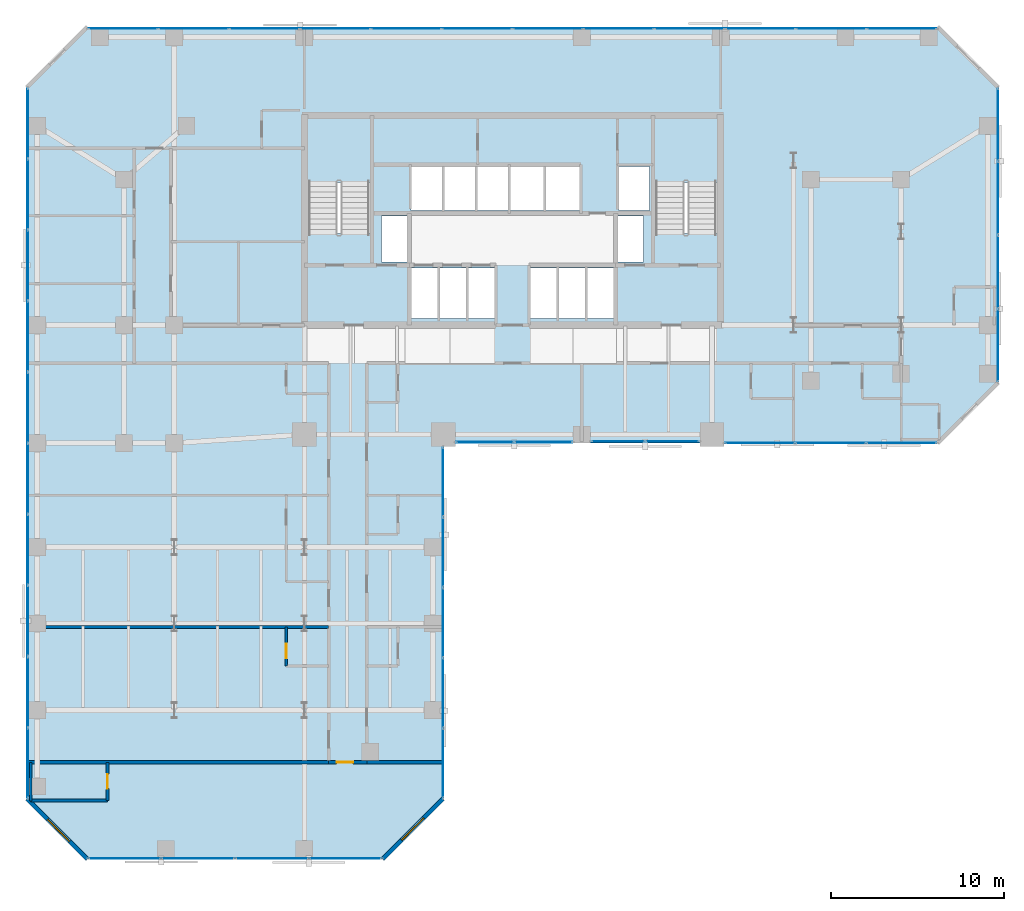
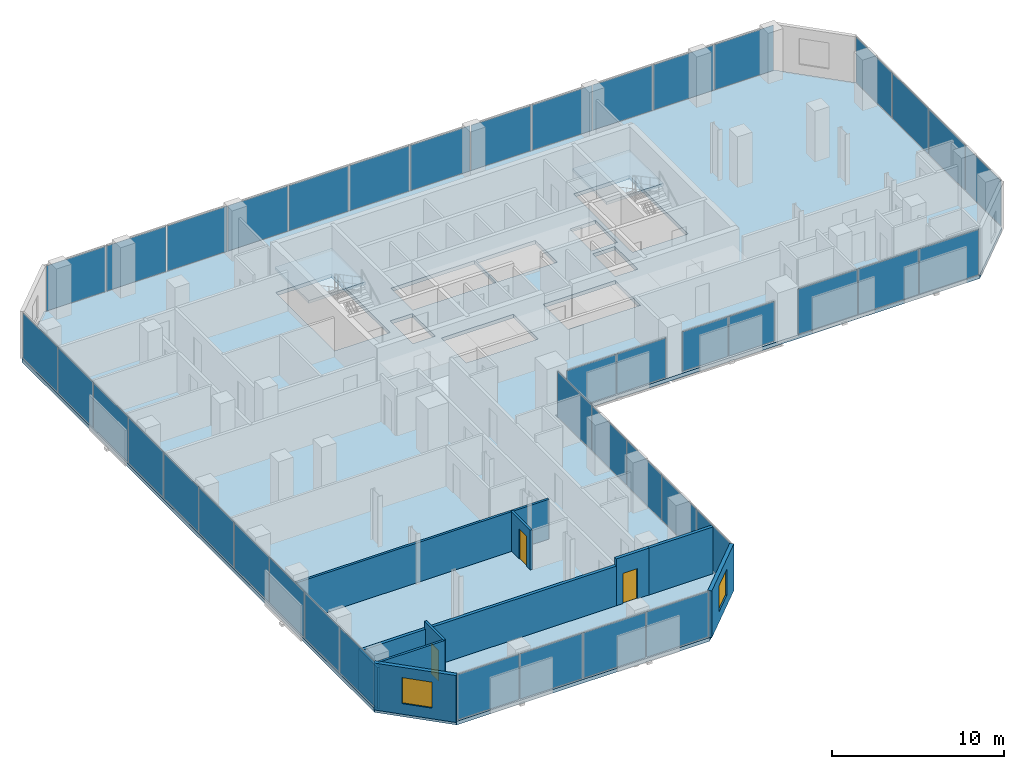
# One storey, part 26 of 31: 42 plates, 10 walls, 3 doors, 3 slabs, 2 windows, 5 openings, 10 elements without a shape of their own.
"""IFC4 building model written with IfcOpenShell, lengths in metres."""

from ifc_helpers import new_model, si_unit, direction, frame, frame_2d, origin, origin_2d, place, context, subcontext, project, spatial, polyline, rectangle, outline, extrude, material, layer, layer_set, type_object, element, fill, aggregate, save


model = new_model("IFC4")

# Units and contexts
model_context = context("Model", 3, precision=1e-05, world=origin(), true_north=direction((0.0, 1.0)))
body_context = subcontext(model_context, "Body", "Model", "MODEL_VIEW")
ifc_project = project(units=[si_unit("LENGTHUNIT", "METRE"), si_unit("AREAUNIT", "SQUARE_METRE"), si_unit("VOLUMEUNIT", "CUBIC_METRE"), si_unit("PLANEANGLEUNIT", "RADIAN"), si_unit("MASSUNIT", "GRAM", prefix="KILO")], contexts=[model_context])

# Site, building, storey
site_placement = place(None, origin())
site = spatial("IfcSite", under=ifc_project, at=site_placement, CompositionType="ELEMENT")
building_placement = place(site_placement, origin())
building = spatial("IfcBuilding", under=site, at=building_placement, Name="Catumbela Crestline Tower", CompositionType="ELEMENT")
storey_placement = place(building_placement, frame((0.0, 0.0, 36.6)))
storey = spatial("IfcBuildingStorey", under=building, at=storey_placement, Name="L08", CompositionType="ELEMENT", Elevation=36.6)

# Curtain wall, plates
ifc_material_1 = material(Name="Aluminium alloy AW-6060-T66", Category="aluminium")
ifc_layer_1 = layer(ifc_material_1, 0.18, Name="Aluminium alloy AW-6060-T66")
ifc_layer_set_1 = layer_set([ifc_layer_1], Name="Aluminium alloy AW-6060-T66")
curtain_wall_type = type_object("IfcCurtainWallType", Name="CWU-Z1", PredefinedType="USERDEFINED", material=ifc_layer_set_1)
curtain_wall_1_placement = place(storey_placement, origin())
curtain_wall_1 = element("IfcCurtainWall", 1, at=curtain_wall_1_placement, inside=storey, type_object=curtain_wall_type, Name="L08 Unitised Curtain Wall CW-L08-E0S1", ObjectType="UNITISED", PredefinedType="USERDEFINED")
ifc_material_2 = material(Name="Low-E laminated solar-control double glazing", Category="glass")
ifc_layer_2 = layer(ifc_material_2, 0.034, Name="Low-E laminated solar-control double glazing")
ifc_layer_set_2 = layer_set([ifc_layer_2], Name="Low-E laminated solar-control double glazing")
plate_type = type_object("IfcPlateType", Name="PNL-GLZ-Z1", PredefinedType="CURTAIN_PANEL", material=ifc_layer_set_2)
plate_1_placement = place(storey_placement, frame((5.6412, 0.05, 0.06), z_axis=(0.0, 0.0, 1.0), x_axis=(1.0, 0.0, 0.0)))
plate_1 = element("IfcPlate", 2, at=plate_1_placement, type_object=plate_type, Name="CWU-Z1 panel 1.1", PredefinedType="CURTAIN_PANEL", context=body_context, shape_type="SweptSolid", body=[
    extrude(rectangle(XDim=4.1525, YDim=0.034, at=origin_2d()), origin(), (0.0, 0.0, 1.0), 3.21),
])
plate_2_placement = place(storey_placement, frame((9.875, 0.05, 0.06), z_axis=(0.0, 0.0, 1.0), x_axis=(1.0, 0.0, 0.0)))
plate_2 = element("IfcPlate", 3, at=plate_2_placement, type_object=plate_type, Name="CWU-Z1 panel 2.1", PredefinedType="CURTAIN_PANEL", context=body_context, shape_type="SweptSolid", body=[
    extrude(rectangle(XDim=4.185, YDim=0.034, at=origin_2d()), origin(), (0.0, 0.0, 1.0), 3.21),
])
plate_3_placement = place(storey_placement, frame((14.125, 0.05, 0.06), z_axis=(0.0, 0.0, 1.0), x_axis=(1.0, 0.0, 0.0)))
plate_3 = element("IfcPlate", 4, at=plate_3_placement, type_object=plate_type, Name="CWU-Z1 panel 3.1", PredefinedType="CURTAIN_PANEL", context=body_context, shape_type="SweptSolid", body=[
    extrude(rectangle(XDim=4.185, YDim=0.034, at=origin_2d()), origin(), (0.0, 0.0, 1.0), 3.21),
])
plate_4_placement = place(storey_placement, frame((18.3588, 0.05, 0.06), z_axis=(0.0, 0.0, 1.0), x_axis=(1.0, 0.0, 0.0)))
plate_4 = element("IfcPlate", 5, at=plate_4_placement, type_object=plate_type, Name="CWU-Z1 panel 4.1", PredefinedType="CURTAIN_PANEL", context=body_context, shape_type="SweptSolid", body=[
    extrude(rectangle(XDim=4.1525, YDim=0.034, at=origin_2d()), origin(), (0.0, 0.0, 1.0), 3.21),
])
aggregate(curtain_wall_1, [plate_1, plate_2, plate_3, plate_4])

curtain_wall_2_placement = place(storey_placement, origin())
curtain_wall_2 = element("IfcCurtainWall", 6, at=curtain_wall_2_placement, inside=storey, type_object=curtain_wall_type, Name="L08 Unitised Curtain Wall CW-L08-E2S1", ObjectType="UNITISED", PredefinedType="USERDEFINED")
plate_5_placement = place(storey_placement, frame((24.0, 5.5462, 0.06), z_axis=(0.0, 0.0, 1.0), x_axis=(0.0, 1.0, 0.0)))
plate_5 = element("IfcPlate", 7, at=plate_5_placement, type_object=plate_type, Name="CWU-Z1 panel 1.1", PredefinedType="CURTAIN_PANEL", context=body_context, shape_type="SweptSolid", body=[
    extrude(rectangle(XDim=3.9625, YDim=0.034, at=origin_2d()), origin(), (0.0, 0.0, 1.0), 3.21),
])
plate_6_placement = place(storey_placement, frame((24.0, 9.59, 0.06), z_axis=(0.0, 0.0, 1.0), x_axis=(0.0, 1.0, 0.0)))
plate_6 = element("IfcPlate", 8, at=plate_6_placement, type_object=plate_type, Name="CWU-Z1 panel 2.1", PredefinedType="CURTAIN_PANEL", context=body_context, shape_type="SweptSolid", body=[
    extrude(rectangle(XDim=3.995, YDim=0.034, at=origin_2d()), origin(), (0.0, 0.0, 1.0), 3.21),
])
plate_7_placement = place(storey_placement, frame((24.0, 13.65, 0.06), z_axis=(0.0, 0.0, 1.0), x_axis=(0.0, 1.0, 0.0)))
plate_7 = element("IfcPlate", 9, at=plate_7_placement, type_object=plate_type, Name="CWU-Z1 panel 3.1", PredefinedType="CURTAIN_PANEL", context=body_context, shape_type="SweptSolid", body=[
    extrude(rectangle(XDim=3.995, YDim=0.034, at=origin_2d()), origin(), (0.0, 0.0, 1.0), 3.21),
])
plate_8_placement = place(storey_placement, frame((24.0, 17.71, 0.06), z_axis=(0.0, 0.0, 1.0), x_axis=(0.0, 1.0, 0.0)))
plate_8 = element("IfcPlate", 10, at=plate_8_placement, type_object=plate_type, Name="CWU-Z1 panel 4.1", PredefinedType="CURTAIN_PANEL", context=body_context, shape_type="SweptSolid", body=[
    extrude(rectangle(XDim=3.995, YDim=0.034, at=origin_2d()), origin(), (0.0, 0.0, 1.0), 3.21),
])
plate_9_placement = place(storey_placement, frame((24.0, 21.7538, 0.06), z_axis=(0.0, 0.0, 1.0), x_axis=(0.0, 1.0, 0.0)))
plate_9 = element("IfcPlate", 11, at=plate_9_placement, type_object=plate_type, Name="CWU-Z1 panel 5.1", PredefinedType="CURTAIN_PANEL", context=body_context, shape_type="SweptSolid", body=[
    extrude(rectangle(XDim=3.9625, YDim=0.034, at=origin_2d()), origin(), (0.0, 0.0, 1.0), 3.21),
])
aggregate(curtain_wall_2, [plate_5, plate_6, plate_7, plate_8, plate_9])

curtain_wall_3_placement = place(storey_placement, origin())
curtain_wall_3 = element("IfcCurtainWall", 12, at=curtain_wall_3_placement, inside=storey, type_object=curtain_wall_type, Name="L08 Unitised Curtain Wall CW-L08-E3S1", ObjectType="UNITISED", PredefinedType="USERDEFINED")
plate_10_placement = place(storey_placement, frame((26.4162, 24.05, 0.06), z_axis=(0.0, 0.0, 1.0), x_axis=(1.0, 0.0, 0.0)))
plate_10 = element("IfcPlate", 13, at=plate_10_placement, type_object=plate_type, Name="CWU-Z1 panel 1.1", PredefinedType="CURTAIN_PANEL", context=body_context, shape_type="SweptSolid", body=[
    extrude(rectangle(XDim=3.3025, YDim=0.034, at=origin_2d()), origin(), (0.0, 0.0, 1.0), 2.81),
])
plate_11_placement = place(storey_placement, frame((29.7838, 24.05, 0.06), z_axis=(0.0, 0.0, 1.0), x_axis=(1.0, 0.0, 0.0)))
plate_11 = element("IfcPlate", 14, at=plate_11_placement, type_object=plate_type, Name="CWU-Z1 panel 2.1", PredefinedType="CURTAIN_PANEL", context=body_context, shape_type="SweptSolid", body=[
    extrude(rectangle(XDim=3.3025, YDim=0.034, at=origin_2d()), origin(), (0.0, 0.0, 1.0), 2.81),
])
aggregate(curtain_wall_3, [plate_10, plate_11])

curtain_wall_4_placement = place(storey_placement, origin())
curtain_wall_4 = element("IfcCurtainWall", 15, at=curtain_wall_4_placement, inside=storey, type_object=curtain_wall_type, Name="L08 Unitised Curtain Wall CW-L08-E3S2", ObjectType="UNITISED", PredefinedType="USERDEFINED")
plate_12_placement = place(storey_placement, frame((34.0912, 24.1, 0.06), z_axis=(0.0, 0.0, 1.0), x_axis=(1.0, 0.0, 0.0)))
plate_12 = element("IfcPlate", 16, at=plate_12_placement, type_object=plate_type, Name="CWU-Z1 panel 1.1", PredefinedType="CURTAIN_PANEL", context=body_context, shape_type="SweptSolid", body=[
    extrude(rectangle(XDim=3.0525, YDim=0.034, at=origin_2d()), origin(), (0.0, 0.0, 1.0), 2.81),
])
plate_13_placement = place(storey_placement, frame((37.2088, 24.1, 0.06), z_axis=(0.0, 0.0, 1.0), x_axis=(1.0, 0.0, 0.0)))
plate_13 = element("IfcPlate", 17, at=plate_13_placement, type_object=plate_type, Name="CWU-Z1 panel 2.1", PredefinedType="CURTAIN_PANEL", context=body_context, shape_type="SweptSolid", body=[
    extrude(rectangle(XDim=3.0525, YDim=0.034, at=origin_2d()), origin(), (0.0, 0.0, 1.0), 2.81),
])
aggregate(curtain_wall_4, [plate_12, plate_13])

curtain_wall_5_placement = place(storey_placement, origin())
curtain_wall_5 = element("IfcCurtainWall", 18, at=curtain_wall_5_placement, inside=storey, type_object=curtain_wall_type, Name="L08 Unitised Curtain Wall CW-L08-E3S3", ObjectType="UNITISED", PredefinedType="USERDEFINED")
plate_14_placement = place(storey_placement, frame((42.2662, 24.0, 0.06), z_axis=(0.0, 0.0, 1.0), x_axis=(1.0, 0.0, 0.0)))
plate_14 = element("IfcPlate", 19, at=plate_14_placement, type_object=plate_type, Name="CWU-Z1 panel 1.1", PredefinedType="CURTAIN_PANEL", context=body_context, shape_type="SweptSolid", body=[
    extrude(rectangle(XDim=4.0025, YDim=0.034, at=origin_2d()), origin(), (0.0, 0.0, 1.0), 3.21),
])
plate_15_placement = place(storey_placement, frame((46.35, 24.0, 0.06), z_axis=(0.0, 0.0, 1.0), x_axis=(1.0, 0.0, 0.0)))
plate_15 = element("IfcPlate", 20, at=plate_15_placement, type_object=plate_type, Name="CWU-Z1 panel 2.1", PredefinedType="CURTAIN_PANEL", context=body_context, shape_type="SweptSolid", body=[
    extrude(rectangle(XDim=4.035, YDim=0.034, at=origin_2d()), origin(), (0.0, 0.0, 1.0), 3.21),
])
plate_16_placement = place(storey_placement, frame((50.4338, 24.0, 0.06), z_axis=(0.0, 0.0, 1.0), x_axis=(1.0, 0.0, 0.0)))
plate_16 = element("IfcPlate", 21, at=plate_16_placement, type_object=plate_type, Name="CWU-Z1 panel 3.1", PredefinedType="CURTAIN_PANEL", context=body_context, shape_type="SweptSolid", body=[
    extrude(rectangle(XDim=4.0025, YDim=0.034, at=origin_2d()), origin(), (0.0, 0.0, 1.0), 3.21),
])
aggregate(curtain_wall_5, [plate_14, plate_15, plate_16])

curtain_wall_6_placement = place(storey_placement, origin())
curtain_wall_6 = element("IfcCurtainWall", 22, at=curtain_wall_6_placement, inside=storey, type_object=curtain_wall_type, Name="L08 Unitised Curtain Wall CW-L08-E5S1", ObjectType="UNITISED", PredefinedType="USERDEFINED")
plate_17_placement = place(storey_placement, frame((56.0, 29.6412, 0.06), z_axis=(0.0, 0.0, 1.0), x_axis=(0.0, 1.0, 0.0)))
plate_17 = element("IfcPlate", 23, at=plate_17_placement, type_object=plate_type, Name="CWU-Z1 panel 1.1", PredefinedType="CURTAIN_PANEL", context=body_context, shape_type="SweptSolid", body=[
    extrude(rectangle(XDim=4.1525, YDim=0.034, at=origin_2d()), origin(), (0.0, 0.0, 1.0), 3.21),
])
plate_18_placement = place(storey_placement, frame((56.0, 33.875, 0.06), z_axis=(0.0, 0.0, 1.0), x_axis=(0.0, 1.0, 0.0)))
plate_18 = element("IfcPlate", 24, at=plate_18_placement, type_object=plate_type, Name="CWU-Z1 panel 2.1", PredefinedType="CURTAIN_PANEL", context=body_context, shape_type="SweptSolid", body=[
    extrude(rectangle(XDim=4.185, YDim=0.034, at=origin_2d()), origin(), (0.0, 0.0, 1.0), 3.21),
])
plate_19_placement = place(storey_placement, frame((56.0, 38.125, 0.06), z_axis=(0.0, 0.0, 1.0), x_axis=(0.0, 1.0, 0.0)))
plate_19 = element("IfcPlate", 25, at=plate_19_placement, type_object=plate_type, Name="CWU-Z1 panel 3.1", PredefinedType="CURTAIN_PANEL", context=body_context, shape_type="SweptSolid", body=[
    extrude(rectangle(XDim=4.185, YDim=0.034, at=origin_2d()), origin(), (0.0, 0.0, 1.0), 3.21),
])
plate_20_placement = place(storey_placement, frame((56.0, 42.3588, 0.06), z_axis=(0.0, 0.0, 1.0), x_axis=(0.0, 1.0, 0.0)))
plate_20 = element("IfcPlate", 26, at=plate_20_placement, type_object=plate_type, Name="CWU-Z1 panel 4.1", PredefinedType="CURTAIN_PANEL", context=body_context, shape_type="SweptSolid", body=[
    extrude(rectangle(XDim=4.1525, YDim=0.034, at=origin_2d()), origin(), (0.0, 0.0, 1.0), 3.21),
])
aggregate(curtain_wall_6, [plate_17, plate_18, plate_19, plate_20])

curtain_wall_7_placement = place(storey_placement, origin())
curtain_wall_7 = element("IfcCurtainWall", 27, at=curtain_wall_7_placement, inside=storey, type_object=curtain_wall_type, Name="L08 Unitised Curtain Wall CW-L08-E7S1", ObjectType="UNITISED", PredefinedType="USERDEFINED")
plate_21_placement = place(storey_placement, frame((50.4421, 47.9, 0.06), z_axis=(0.0, 0.0, 1.0), x_axis=(-1.0, 0.0, 0.0)))
plate_21 = element("IfcPlate", 28, at=plate_21_placement, type_object=plate_type, Name="CWU-Z1 panel 1.1", PredefinedType="CURTAIN_PANEL", context=body_context, shape_type="SweptSolid", body=[
    extrude(rectangle(XDim=3.9858, YDim=0.034, at=origin_2d()), origin(), (0.0, 0.0, 1.0), 3.21),
])
plate_22_placement = place(storey_placement, frame((46.375, 47.9, 0.06), z_axis=(0.0, 0.0, 1.0), x_axis=(-1.0, 0.0, 0.0)))
plate_22 = element("IfcPlate", 29, at=plate_22_placement, type_object=plate_type, Name="CWU-Z1 panel 2.1", PredefinedType="CURTAIN_PANEL", context=body_context, shape_type="SweptSolid", body=[
    extrude(rectangle(XDim=4.0183, YDim=0.034, at=origin_2d()), origin(), (0.0, 0.0, 1.0), 3.21),
])
plate_23_placement = place(storey_placement, frame((42.2917, 47.9, 0.06), z_axis=(0.0, 0.0, 1.0), x_axis=(-1.0, 0.0, 0.0)))
plate_23 = element("IfcPlate", 30, at=plate_23_placement, type_object=plate_type, Name="CWU-Z1 panel 3.1", PredefinedType="CURTAIN_PANEL", context=body_context, shape_type="SweptSolid", body=[
    extrude(rectangle(XDim=4.0183, YDim=0.034, at=origin_2d()), origin(), (0.0, 0.0, 1.0), 3.21),
])
plate_24_placement = place(storey_placement, frame((38.2083, 47.9, 0.06), z_axis=(0.0, 0.0, 1.0), x_axis=(-1.0, 0.0, 0.0)))
plate_24 = element("IfcPlate", 31, at=plate_24_placement, type_object=plate_type, Name="CWU-Z1 panel 4.1", PredefinedType="CURTAIN_PANEL", context=body_context, shape_type="SweptSolid", body=[
    extrude(rectangle(XDim=4.0183, YDim=0.034, at=origin_2d()), origin(), (0.0, 0.0, 1.0), 3.21),
])
plate_25_placement = place(storey_placement, frame((34.125, 47.9, 0.06), z_axis=(0.0, 0.0, 1.0), x_axis=(-1.0, 0.0, 0.0)))
plate_25 = element("IfcPlate", 32, at=plate_25_placement, type_object=plate_type, Name="CWU-Z1 panel 5.1", PredefinedType="CURTAIN_PANEL", context=body_context, shape_type="SweptSolid", body=[
    extrude(rectangle(XDim=4.0183, YDim=0.034, at=origin_2d()), origin(), (0.0, 0.0, 1.0), 3.21),
])
plate_26_placement = place(storey_placement, frame((30.0417, 47.9, 0.06), z_axis=(0.0, 0.0, 1.0), x_axis=(-1.0, 0.0, 0.0)))
plate_26 = element("IfcPlate", 33, at=plate_26_placement, type_object=plate_type, Name="CWU-Z1 panel 6.1", PredefinedType="CURTAIN_PANEL", context=body_context, shape_type="SweptSolid", body=[
    extrude(rectangle(XDim=4.0183, YDim=0.034, at=origin_2d()), origin(), (0.0, 0.0, 1.0), 3.21),
])
plate_27_placement = place(storey_placement, frame((25.9583, 47.9, 0.06), z_axis=(0.0, 0.0, 1.0), x_axis=(-1.0, 0.0, 0.0)))
plate_27 = element("IfcPlate", 34, at=plate_27_placement, type_object=plate_type, Name="CWU-Z1 panel 7.1", PredefinedType="CURTAIN_PANEL", context=body_context, shape_type="SweptSolid", body=[
    extrude(rectangle(XDim=4.0183, YDim=0.034, at=origin_2d()), origin(), (0.0, 0.0, 1.0), 3.21),
])
plate_28_placement = place(storey_placement, frame((21.875, 47.9, 0.06), z_axis=(0.0, 0.0, 1.0), x_axis=(-1.0, 0.0, 0.0)))
plate_28 = element("IfcPlate", 35, at=plate_28_placement, type_object=plate_type, Name="CWU-Z1 panel 8.1", PredefinedType="CURTAIN_PANEL", context=body_context, shape_type="SweptSolid", body=[
    extrude(rectangle(XDim=4.0183, YDim=0.034, at=origin_2d()), origin(), (0.0, 0.0, 1.0), 3.21),
])
plate_29_placement = place(storey_placement, frame((17.7917, 47.9, 0.06), z_axis=(0.0, 0.0, 1.0), x_axis=(-1.0, 0.0, 0.0)))
plate_29 = element("IfcPlate", 36, at=plate_29_placement, type_object=plate_type, Name="CWU-Z1 panel 9.1", PredefinedType="CURTAIN_PANEL", context=body_context, shape_type="SweptSolid", body=[
    extrude(rectangle(XDim=4.0183, YDim=0.034, at=origin_2d()), origin(), (0.0, 0.0, 1.0), 3.21),
])
plate_30_placement = place(storey_placement, frame((13.7083, 47.9, 0.06), z_axis=(0.0, 0.0, 1.0), x_axis=(-1.0, 0.0, 0.0)))
plate_30 = element("IfcPlate", 37, at=plate_30_placement, type_object=plate_type, Name="CWU-Z1 panel 10.1", PredefinedType="CURTAIN_PANEL", context=body_context, shape_type="SweptSolid", body=[
    extrude(rectangle(XDim=4.0183, YDim=0.034, at=origin_2d()), origin(), (0.0, 0.0, 1.0), 3.21),
])
plate_31_placement = place(storey_placement, frame((9.625, 47.9, 0.06), z_axis=(0.0, 0.0, 1.0), x_axis=(-1.0, 0.0, 0.0)))
plate_31 = element("IfcPlate", 38, at=plate_31_placement, type_object=plate_type, Name="CWU-Z1 panel 11.1", PredefinedType="CURTAIN_PANEL", context=body_context, shape_type="SweptSolid", body=[
    extrude(rectangle(XDim=4.0183, YDim=0.034, at=origin_2d()), origin(), (0.0, 0.0, 1.0), 3.21),
])
plate_32_placement = place(storey_placement, frame((5.5579, 47.9, 0.06), z_axis=(0.0, 0.0, 1.0), x_axis=(-1.0, 0.0, 0.0)))
plate_32 = element("IfcPlate", 39, at=plate_32_placement, type_object=plate_type, Name="CWU-Z1 panel 12.1", PredefinedType="CURTAIN_PANEL", context=body_context, shape_type="SweptSolid", body=[
    extrude(rectangle(XDim=3.9858, YDim=0.034, at=origin_2d()), origin(), (0.0, 0.0, 1.0), 3.21),
])
aggregate(curtain_wall_7, [plate_21, plate_22, plate_23, plate_24, plate_25, plate_26, plate_27, plate_28, plate_29, plate_30, plate_31, plate_32])

curtain_wall_8_placement = place(storey_placement, origin())
curtain_wall_8 = element("IfcCurtainWall", 40, at=curtain_wall_8_placement, inside=storey, type_object=curtain_wall_type, Name="L08 Unitised Curtain Wall CW-L08-E9S1", ObjectType="UNITISED", PredefinedType="USERDEFINED")
plate_33_placement = place(storey_placement, frame((0.05, 42.4338, 0.06), z_axis=(0.0, 0.0, 1.0), x_axis=(0.0, -1.0, 0.0)))
plate_33 = element("IfcPlate", 41, at=plate_33_placement, type_object=plate_type, Name="CWU-Z1 panel 1.1", PredefinedType="CURTAIN_PANEL", context=body_context, shape_type="SweptSolid", body=[
    extrude(rectangle(XDim=4.0025, YDim=0.034, at=origin_2d()), origin(), (0.0, 0.0, 1.0), 3.21),
])
plate_34_placement = place(storey_placement, frame((0.05, 38.35, 0.06), z_axis=(0.0, 0.0, 1.0), x_axis=(0.0, -1.0, 0.0)))
plate_34 = element("IfcPlate", 42, at=plate_34_placement, type_object=plate_type, Name="CWU-Z1 panel 2.1", PredefinedType="CURTAIN_PANEL", context=body_context, shape_type="SweptSolid", body=[
    extrude(rectangle(XDim=4.035, YDim=0.034, at=origin_2d()), origin(), (0.0, 0.0, 1.0), 3.21),
])
plate_35_placement = place(storey_placement, frame((0.05, 34.25, 0.06), z_axis=(0.0, 0.0, 1.0), x_axis=(0.0, -1.0, 0.0)))
plate_35 = element("IfcPlate", 43, at=plate_35_placement, type_object=plate_type, Name="CWU-Z1 panel 3.1", PredefinedType="CURTAIN_PANEL", context=body_context, shape_type="SweptSolid", body=[
    extrude(rectangle(XDim=4.035, YDim=0.034, at=origin_2d()), origin(), (0.0, 0.0, 1.0), 3.21),
])
plate_36_placement = place(storey_placement, frame((0.05, 30.15, 0.06), z_axis=(0.0, 0.0, 1.0), x_axis=(0.0, -1.0, 0.0)))
plate_36 = element("IfcPlate", 44, at=plate_36_placement, type_object=plate_type, Name="CWU-Z1 panel 4.1", PredefinedType="CURTAIN_PANEL", context=body_context, shape_type="SweptSolid", body=[
    extrude(rectangle(XDim=4.035, YDim=0.034, at=origin_2d()), origin(), (0.0, 0.0, 1.0), 3.21),
])
plate_37_placement = place(storey_placement, frame((0.05, 26.05, 0.06), z_axis=(0.0, 0.0, 1.0), x_axis=(0.0, -1.0, 0.0)))
plate_37 = element("IfcPlate", 45, at=plate_37_placement, type_object=plate_type, Name="CWU-Z1 panel 5.1", PredefinedType="CURTAIN_PANEL", context=body_context, shape_type="SweptSolid", body=[
    extrude(rectangle(XDim=4.035, YDim=0.034, at=origin_2d()), origin(), (0.0, 0.0, 1.0), 3.21),
])
plate_38_placement = place(storey_placement, frame((0.05, 21.95, 0.06), z_axis=(0.0, 0.0, 1.0), x_axis=(0.0, -1.0, 0.0)))
plate_38 = element("IfcPlate", 46, at=plate_38_placement, type_object=plate_type, Name="CWU-Z1 panel 6.1", PredefinedType="CURTAIN_PANEL", context=body_context, shape_type="SweptSolid", body=[
    extrude(rectangle(XDim=4.035, YDim=0.034, at=origin_2d()), origin(), (0.0, 0.0, 1.0), 3.21),
])
plate_39_placement = place(storey_placement, frame((0.05, 17.85, 0.06), z_axis=(0.0, 0.0, 1.0), x_axis=(0.0, -1.0, 0.0)))
plate_39 = element("IfcPlate", 47, at=plate_39_placement, type_object=plate_type, Name="CWU-Z1 panel 7.1", PredefinedType="CURTAIN_PANEL", context=body_context, shape_type="SweptSolid", body=[
    extrude(rectangle(XDim=4.035, YDim=0.034, at=origin_2d()), origin(), (0.0, 0.0, 1.0), 3.21),
])
plate_40_placement = place(storey_placement, frame((0.05, 13.75, 0.06), z_axis=(0.0, 0.0, 1.0), x_axis=(0.0, -1.0, 0.0)))
plate_40 = element("IfcPlate", 48, at=plate_40_placement, type_object=plate_type, Name="CWU-Z1 panel 8.1", PredefinedType="CURTAIN_PANEL", context=body_context, shape_type="SweptSolid", body=[
    extrude(rectangle(XDim=4.035, YDim=0.034, at=origin_2d()), origin(), (0.0, 0.0, 1.0), 3.21),
])
plate_41_placement = place(storey_placement, frame((0.05, 9.65, 0.06), z_axis=(0.0, 0.0, 1.0), x_axis=(0.0, -1.0, 0.0)))
plate_41 = element("IfcPlate", 49, at=plate_41_placement, type_object=plate_type, Name="CWU-Z1 panel 9.1", PredefinedType="CURTAIN_PANEL", context=body_context, shape_type="SweptSolid", body=[
    extrude(rectangle(XDim=4.035, YDim=0.034, at=origin_2d()), origin(), (0.0, 0.0, 1.0), 3.21),
])
plate_42_placement = place(storey_placement, frame((0.05, 5.5662, 0.06), z_axis=(0.0, 0.0, 1.0), x_axis=(0.0, -1.0, 0.0)))
plate_42 = element("IfcPlate", 50, at=plate_42_placement, type_object=plate_type, Name="CWU-Z1 panel 10.1", PredefinedType="CURTAIN_PANEL", context=body_context, shape_type="SweptSolid", body=[
    extrude(rectangle(XDim=4.0025, YDim=0.034, at=origin_2d()), origin(), (0.0, 0.0, 1.0), 3.21),
])
aggregate(curtain_wall_8, [plate_33, plate_34, plate_35, plate_36, plate_37, plate_38, plate_39, plate_40, plate_41, plate_42])

# Stair, slab
ifc_material_3 = material(Name="Concrete C45/55", Category="concrete")
stair_type = type_object("IfcStairType", Name="ST-DLG", PredefinedType="HALF_TURN_STAIR", material=ifc_material_3)
stair_1_placement = place(storey_placement, origin())
stair_1 = element("IfcStair", 51, at=stair_1_placement, inside=storey, type_object=stair_type, Name="L08 West Core Pressurised Exit Stair ST-01", PredefinedType="HALF_TURN_STAIR")
ifc_layer_3 = layer(ifc_material_3, 0.2, Name="Concrete C45/55")
ifc_layer_set_3 = layer_set([ifc_layer_3], Name="Concrete C45/55")
slab_type_1 = type_object("IfcSlabType", Name="SL-LND", PredefinedType="LANDING", material=ifc_layer_set_3)
slab_1_placement = place(storey_placement, frame((0.0, 0.0, 1.6)))
slab_1 = element("IfcSlab", 52, at=slab_1_placement, type_object=slab_type_1, Name="ST-01 landing 1", PredefinedType="LANDING", context=body_context, shape_type="SweptSolid", body=[
    extrude(outline(polyline([(19.91, 39.02), (19.91, 42.96), (16.09, 42.96), (16.09, 39.02), (19.91, 39.02)])), origin(), (0.0, 0.0, 1.0), 0.2),
])
aggregate(stair_1, [slab_1])

stair_2_placement = place(storey_placement, origin())
stair_2 = element("IfcStair", 53, at=stair_2_placement, inside=storey, type_object=stair_type, Name="L08 East Core Pressurised Exit Stair ST-02", PredefinedType="HALF_TURN_STAIR")
slab_2_placement = place(storey_placement, frame((0.0, 0.0, 1.6)))
slab_2 = element("IfcSlab", 54, at=slab_2_placement, type_object=slab_type_1, Name="ST-02 landing 1", PredefinedType="LANDING", context=body_context, shape_type="SweptSolid", body=[
    extrude(outline(polyline([(39.91, 39.02), (39.91, 42.96), (36.09, 42.96), (36.09, 39.02), (39.91, 39.02)])), origin(), (0.0, 0.0, 1.0), 0.2),
])
aggregate(stair_2, [slab_2])

# Slab
ifc_layer_4 = layer(ifc_material_3, 0.26, Name="Concrete C45/55")
ifc_layer_set_4 = layer_set([ifc_layer_4], Name="Concrete C45/55")
slab_type_2 = type_object("IfcSlabType", Name="SL-260", PredefinedType="FLOOR", material=ifc_layer_set_4)
slab_3_placement = place(storey_placement, frame((0.0, 0.0, -0.26)))
element("IfcSlab", 55, at=slab_3_placement, inside=storey, type_object=slab_type_2, Name="L08 Structural Floor Slab", PredefinedType="FLOOR", context=body_context, shape_type="SweptSolid", body=[
    extrude(outline(polyline([(3.5, 0.0), (20.5, 0.0), (24.0, 3.5), (24.0, 24.0), (52.5, 24.0), (56.0, 27.5), (56.0, 44.5), (52.5, 48.0), (3.5, 48.0), (0.0, 44.5), (0.0, 3.5), (3.5, 0.0)]), holes=[polyline([(16.13, 36.08), (19.87, 36.08), (19.87, 42.92), (16.13, 42.92), (16.13, 36.08)]), polyline([(36.13, 36.08), (39.87, 36.08), (39.87, 42.92), (36.13, 42.92), (36.13, 36.08)]), polyline([(22.15, 31.2), (27.0, 31.2), (27.0, 34.1), (22.15, 34.1), (22.15, 31.2)]), polyline([(29.0, 31.2), (33.85, 31.2), (33.85, 34.1), (29.0, 34.1), (29.0, 31.2)]), polyline([(22.15, 37.4), (27.75, 37.4), (27.75, 39.95), (22.15, 39.95), (22.15, 37.4)]), polyline([(27.85, 37.4), (31.85, 37.4), (31.85, 39.95), (27.85, 39.95), (27.85, 37.4)]), polyline([(20.45, 34.45), (21.95, 34.45), (21.95, 37.1), (20.45, 37.1), (20.45, 34.45)]), polyline([(34.05, 34.45), (35.55, 34.45), (35.55, 37.1), (34.05, 37.1), (34.05, 34.45)]), polyline([(34.15, 37.4), (35.9, 37.4), (35.9, 39.95), (34.15, 39.95), (34.15, 37.4)])]), origin(), (0.0, 0.0, 1.0), 0.26),
])

# Wall, opening, door
ifc_material_4 = material(Name="Acoustic gypsum and mineral-wool partition")
ifc_layer_5 = layer(ifc_material_4, 0.2, Name="Acoustic gypsum and mineral-wool partition")
ifc_layer_set_5 = layer_set([ifc_layer_5], Name="Acoustic gypsum and mineral-wool partition")
wall_type_1 = type_object("IfcWallType", Name="WC-200", PredefinedType="PARTITIONING", material=ifc_layer_set_5)
wall_1_placement = place(storey_placement, frame((17.4, 5.6, 0.0), z_axis=(0.0, 0.0, 1.0), x_axis=(1.0, 0.0, 0.0)))
wall_1 = element("IfcWall", 56, at=wall_1_placement, inside=storey, type_object=wall_type_1, Name="L08 Interior Partition PW-L08-WTIP-ENT", PredefinedType="PARTITIONING", context=body_context, shape_type="SweptSolid", body=[
    extrude(rectangle(XDim=2.2, YDim=0.2, at=frame_2d((1.1, 0.0))), origin(), (0.0, 0.0, 1.0), 3.33),
])
opening_1_placement = place(wall_1_placement, frame((0.46, 0.0, 0.0)))
opening_1 = element("IfcOpeningElement", 57, at=opening_1_placement, cuts=wall_1, Name="Opening DF6-095", PredefinedType="OPENING", context=body_context, shape_type="SweptSolid", body=[
    extrude(rectangle(XDim=0.95, YDim=2.15, at=frame_2d((0.475, 1.075))), frame((0.0, 0.11, 0.0), z_axis=(0.0, -1.0, 0.0), x_axis=(1.0, 0.0, 0.0)), (0.0, 0.0, 1.0), 0.22),
])
door_type_1 = type_object("IfcDoorType", Name="DF6-095", OperationType="NOTDEFINED", PredefinedType="DOOR", material=ifc_material_1)
door_1_placement = place(opening_1_placement, origin())
door_1 = element("IfcDoor", 58, at=door_1_placement, inside=storey, type_object=door_type_1, Name="L08 Interior Door DR-L08-WTIP-ENT", OperationType="SINGLE_SWING_LEFT", OverallHeight=2.15, OverallWidth=0.95, PredefinedType="DOOR", context=body_context, shape_type="SweptSolid", body=[
    extrude(rectangle(XDim=0.95, YDim=2.15, at=frame_2d((0.475, 1.075))), frame((0.0, 0.025, 0.0), z_axis=(0.0, -1.0, 0.0), x_axis=(1.0, 0.0, 0.0)), (0.0, 0.0, 1.0), 0.05),
])
fill(opening_1, door_1)

# Wall, opening, window
ifc_material_5 = material(Name="Angolan grey-ochre granite", Category="masonry")
ifc_layer_6 = layer(ifc_material_5, 0.25, Name="Angolan grey-ochre granite")
ifc_layer_set_6 = layer_set([ifc_layer_6], Name="Angolan grey-ochre granite")
wall_type_2 = type_object("IfcWallType", Name="WE-250", PredefinedType="STANDARD", material=ifc_layer_set_6)
wall_2_placement = place(storey_placement, frame((20.5, 0.0, 0.0), z_axis=(0.0, 0.0, 1.0), x_axis=(0.707106781187, 0.707106781187, 0.0)))
wall_2 = element("IfcWall", 59, at=wall_2_placement, inside=storey, type_object=wall_type_2, Name="L08 Granite Punched Window Wall 1-1", PredefinedType="STANDARD", context=body_context, shape_type="SweptSolid", body=[
    extrude(rectangle(XDim=4.9497, YDim=0.25, at=frame_2d((2.4748, 0.0))), origin(), (0.0, 0.0, 1.0), 3.33),
])
opening_2_placement = place(wall_2_placement, frame((1.5749, 0.0, 0.75)))
opening_2 = element("IfcOpeningElement", 60, at=opening_2_placement, cuts=wall_2, Name="Opening WN-01", PredefinedType="OPENING", context=body_context, shape_type="SweptSolid", body=[
    extrude(rectangle(XDim=1.8, YDim=1.85, at=frame_2d((0.9, 0.925))), frame((0.0, 0.135, 0.0), z_axis=(0.0, -1.0, 0.0), x_axis=(1.0, 0.0, 0.0)), (0.0, 0.0, 1.0), 0.27),
])
window_type = type_object("IfcWindowType", Name="WF-1800", PartitioningType="SINGLE_PANEL", PredefinedType="WINDOW", material=ifc_material_2)
window_1_placement = place(opening_2_placement, origin())
window_1 = element("IfcWindow", 61, at=window_1_placement, inside=storey, type_object=window_type, Name="L08 Facade Vision Window 63", OverallHeight=1.85, OverallWidth=1.8, PartitioningType="SINGLE_PANEL", PredefinedType="WINDOW", context=body_context, shape_type="SweptSolid", body=[
    extrude(rectangle(XDim=1.8, YDim=1.85, at=frame_2d((0.9, 0.925))), frame((0.0, 0.03, 0.0), z_axis=(0.0, -1.0, 0.0), x_axis=(1.0, 0.0, 0.0)), (0.0, 0.0, 1.0), 0.06),
])
fill(opening_2, window_1)

wall_3_placement = place(storey_placement, frame((0.0, 3.5, 0.0), z_axis=(0.0, 0.0, 1.0), x_axis=(0.707106781187, -0.707106781187, 0.0)))
wall_3 = element("IfcWall", 62, at=wall_3_placement, inside=storey, type_object=wall_type_2, Name="L08 Granite Punched Window Wall 10-1", PredefinedType="STANDARD", context=body_context, shape_type="SweptSolid", body=[
    extrude(rectangle(XDim=4.9497, YDim=0.25, at=frame_2d((2.4748, 0.0))), origin(), (0.0, 0.0, 1.0), 3.33),
])
opening_3_placement = place(wall_3_placement, frame((1.6851, 0.0, 0.75)))
opening_3 = element("IfcOpeningElement", 63, at=opening_3_placement, cuts=wall_3, Name="Opening WN-01", PredefinedType="OPENING", context=body_context, shape_type="SweptSolid", body=[
    extrude(rectangle(XDim=1.8, YDim=1.85, at=frame_2d((0.9, 0.925))), frame((0.0, 0.135, 0.0), z_axis=(0.0, -1.0, 0.0), x_axis=(1.0, 0.0, 0.0)), (0.0, 0.0, 1.0), 0.27),
])
window_2_placement = place(opening_3_placement, origin())
window_2 = element("IfcWindow", 64, at=window_2_placement, inside=storey, type_object=window_type, Name="L08 Facade Vision Window 67", OverallHeight=1.85, OverallWidth=1.8, PartitioningType="SINGLE_PANEL", PredefinedType="WINDOW", context=body_context, shape_type="SweptSolid", body=[
    extrude(rectangle(XDim=1.8, YDim=1.85, at=frame_2d((0.9, 0.925))), frame((0.0, 0.03, 0.0), z_axis=(0.0, -1.0, 0.0), x_axis=(1.0, 0.0, 0.0)), (0.0, 0.0, 1.0), 0.06),
])
fill(opening_3, window_2)

# Wall
ifc_layer_7 = layer(ifc_material_4, 0.15, Name="Acoustic gypsum and mineral-wool partition")
ifc_layer_set_7 = layer_set([ifc_layer_7], Name="Acoustic gypsum and mineral-wool partition")
wall_type_3 = type_object("IfcWallType", Name="WP-150", PredefinedType="PARTITIONING", material=ifc_layer_set_7)
wall_4_placement = place(storey_placement, frame((0.2, 3.4, 0.0), z_axis=(0.0, 0.0, 1.0), x_axis=(1.0, 0.0, 0.0)))
element("IfcWall", 65, at=wall_4_placement, inside=storey, type_object=wall_type_3, Name="L08 Interior Partition PW-L08-WTIP-BHW", PredefinedType="PARTITIONING", context=body_context, shape_type="SweptSolid", body=[
    extrude(rectangle(XDim=4.45, YDim=0.15, at=frame_2d((2.225, 0.0))), origin(), (0.0, 0.0, 1.0), 3.33),
])

# Wall, opening, door
wall_5_placement = place(storey_placement, frame((4.65, 3.4, 0.0), z_axis=(0.0, 0.0, 1.0), x_axis=(0.0, 1.0, 0.0)))
wall_5 = element("IfcWall", 66, at=wall_5_placement, inside=storey, type_object=wall_type_3, Name="L08 Interior Partition PW-L08-WTIP-BEW", PredefinedType="PARTITIONING", context=body_context, shape_type="SweptSolid", body=[
    extrude(rectangle(XDim=2.2, YDim=0.15, at=frame_2d((1.1, 0.0))), origin(), (0.0, 0.0, 1.0), 3.33),
])
opening_4_placement = place(wall_5_placement, frame((0.675, 0.0, 0.0)))
opening_4 = element("IfcOpeningElement", 67, at=opening_4_placement, cuts=wall_5, Name="Opening DI-085", PredefinedType="OPENING", context=body_context, shape_type="SweptSolid", body=[
    extrude(rectangle(XDim=0.85, YDim=2.15, at=frame_2d((0.425, 1.075))), frame((0.0, 0.085, 0.0), z_axis=(0.0, -1.0, 0.0), x_axis=(1.0, 0.0, 0.0)), (0.0, 0.0, 1.0), 0.17),
])
door_type_2 = type_object("IfcDoorType", Name="DI-085", OperationType="NOTDEFINED", PredefinedType="DOOR", material=ifc_material_1)
door_2_placement = place(opening_4_placement, origin())
door_2 = element("IfcDoor", 68, at=door_2_placement, inside=storey, type_object=door_type_2, Name="L08 Interior Door DR-L08-WTIP-BTH", OperationType="SINGLE_SWING_LEFT", OverallHeight=2.15, OverallWidth=0.85, PredefinedType="DOOR", context=body_context, shape_type="SweptSolid", body=[
    extrude(rectangle(XDim=0.85, YDim=2.15, at=frame_2d((0.425, 1.075))), frame((0.0, 0.025, 0.0), z_axis=(0.0, -1.0, 0.0), x_axis=(1.0, 0.0, 0.0)), (0.0, 0.0, 1.0), 0.05),
])
fill(opening_4, door_2)

# Wall
wall_6_placement = place(storey_placement, frame((0.22, 3.38, 0.0), z_axis=(0.0, 0.0, 1.0), x_axis=(0.0, 1.0, 0.0)))
element("IfcWall", 69, at=wall_6_placement, inside=storey, type_object=wall_type_3, Name="L08 Interior Partition PW-L08-WTIP-BCL-3", PredefinedType="PARTITIONING", context=body_context, shape_type="SweptSolid", body=[
    extrude(rectangle(XDim=2.22, YDim=0.15, at=frame_2d((1.11, 0.0))), origin(), (0.0, 0.0, 1.0), 2.93),
])

# Wall, opening, door
wall_7_placement = place(storey_placement, frame((14.95, 11.15, 0.0), z_axis=(0.0, 0.0, 1.0), x_axis=(0.0, 1.0, 0.0)))
wall_7 = element("IfcWall", 70, at=wall_7_placement, inside=storey, type_object=wall_type_3, Name="L08 Interior Partition PW-L08-WL1-BWW", PredefinedType="PARTITIONING", context=body_context, shape_type="SweptSolid", body=[
    extrude(rectangle(XDim=2.25, YDim=0.15, at=frame_2d((1.125, 0.0))), origin(), (0.0, 0.0, 1.0), 2.82),
])
opening_5_placement = place(wall_7_placement, frame((0.4444, 0.0, 0.0)))
opening_5 = element("IfcOpeningElement", 71, at=opening_5_placement, cuts=wall_7, Name="Opening DI-085", PredefinedType="OPENING", context=body_context, shape_type="SweptSolid", body=[
    extrude(rectangle(XDim=0.85, YDim=2.15, at=frame_2d((0.425, 1.075))), frame((0.0, 0.085, 0.0), z_axis=(0.0, -1.0, 0.0), x_axis=(1.0, 0.0, 0.0)), (0.0, 0.0, 1.0), 0.17),
])
door_3_placement = place(opening_5_placement, origin())
door_3 = element("IfcDoor", 72, at=door_3_placement, inside=storey, type_object=door_type_2, Name="L08 Interior Door DR-L08-WL1-BTH", OperationType="SINGLE_SWING_RIGHT", OverallHeight=2.15, OverallWidth=0.85, PredefinedType="DOOR", context=body_context, shape_type="SweptSolid", body=[
    extrude(rectangle(XDim=0.85, YDim=2.15, at=frame_2d((0.425, 1.075))), frame((0.0, 0.025, 0.0), z_axis=(0.0, -1.0, 0.0), x_axis=(1.0, 0.0, 0.0)), (0.0, 0.0, 1.0), 0.05),
])
fill(opening_5, door_3)

# Walls
wall_8_placement = place(storey_placement, frame((0.1, 13.4, 0.0), z_axis=(0.0, 0.0, 1.0), x_axis=(1.0, 0.0, 0.0)))
element("IfcWall", 73, at=wall_8_placement, inside=storey, type_object=wall_type_3, Name="L08 Interior Partition PW-L08-WL1-BCL-1", PredefinedType="PARTITIONING", context=body_context, shape_type="SweptSolid", body=[
    extrude(rectangle(XDim=17.3, YDim=0.15, at=frame_2d((8.65, 0.0))), origin(), (0.0, 0.0, 1.0), 2.82),
])
ifc_layer_8 = layer(ifc_material_4, 0.2, Name="Acoustic gypsum and mineral-wool partition")
ifc_layer_set_8 = layer_set([ifc_layer_8], Name="Acoustic gypsum and mineral-wool partition")
wall_type_4 = type_object("IfcWallType", Name="WY-200", PredefinedType="PARTITIONING", material=ifc_layer_set_8)
wall_9_placement = place(storey_placement, frame((0.1, 5.6, 0.0), z_axis=(0.0, 0.0, 1.0), x_axis=(1.0, 0.0, 0.0)))
element("IfcWall", 74, at=wall_9_placement, inside=storey, type_object=wall_type_4, Name="L08 Interior Partition PW-L08-WTIP-WL", PredefinedType="PARTITIONING", context=body_context, shape_type="SweptSolid", body=[
    extrude(rectangle(XDim=17.3, YDim=0.2, at=frame_2d((8.65, 0.0))), origin(), (0.0, 0.0, 1.0), 2.82),
])
wall_10_placement = place(storey_placement, frame((19.6, 5.6, 0.0), z_axis=(0.0, 0.0, 1.0), x_axis=(1.0, 0.0, 0.0)))
element("IfcWall", 75, at=wall_10_placement, inside=storey, type_object=wall_type_4, Name="L08 Interior Partition PW-L08-WTIP-WR", PredefinedType="PARTITIONING", context=body_context, shape_type="SweptSolid", body=[
    extrude(rectangle(XDim=4.3, YDim=0.2, at=frame_2d((2.15, 0.0))), origin(), (0.0, 0.0, 1.0), 3.33),
])

save(model, "model.ifc")
